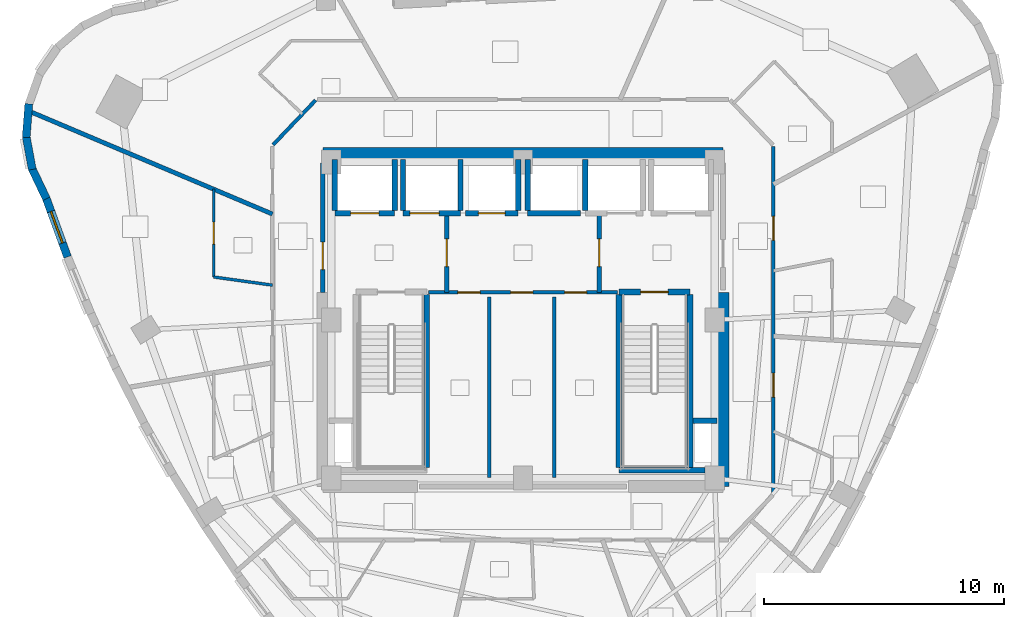
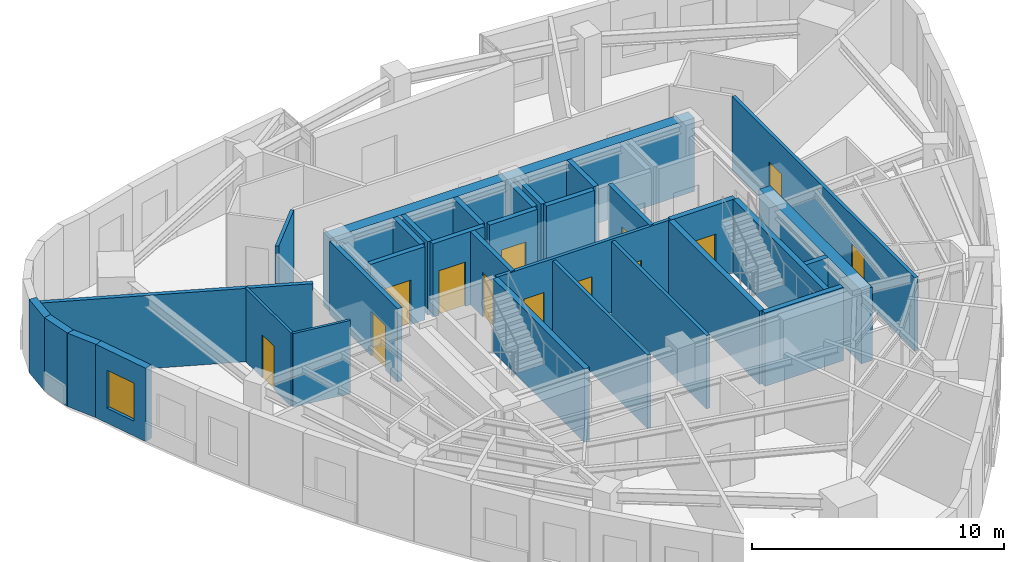
# One storey, part 6 of 11: 34 walls, 13 doors, 1 window, 14 openings.
"""IFC4 building model written with IfcOpenShell, lengths in metres."""

from ifc_helpers import new_model, si_unit, direction, frame, frame_2d, origin, place, context, subcontext, project, spatial, rectangle, extrude, material, layer, layer_set, type_object, element, fill, save


model = new_model("IFC4")

# Units and contexts
model_context = context("Model", 3, precision=1e-05, world=origin(), true_north=direction((0.0, 1.0)))
body_context = subcontext(model_context, "Body", "Model", "MODEL_VIEW")
ifc_project = project(units=[si_unit("LENGTHUNIT", "METRE"), si_unit("AREAUNIT", "SQUARE_METRE"), si_unit("VOLUMEUNIT", "CUBIC_METRE"), si_unit("PLANEANGLEUNIT", "RADIAN"), si_unit("MASSUNIT", "GRAM", prefix="KILO")], contexts=[model_context])

# Site, building, storey
site_placement = place(None, origin())
site = spatial("IfcSite", under=ifc_project, at=site_placement, CompositionType="ELEMENT")
building_placement = place(site_placement, origin())
building = spatial("IfcBuilding", under=site, at=building_placement, Name="Ndelora Gate Hotel", CompositionType="ELEMENT")
storey_placement = place(building_placement, frame((0.0, 0.0, 224.550048828125)))
storey = spatial("IfcBuildingStorey", under=building, at=storey_placement, Name="L56", CompositionType="ELEMENT", Elevation=224.550048828125)

# Walls
ifc_material_1 = material(Name="Acoustic Double-Stud Gypsum Assembly", Category="gypsum")
ifc_layer_1 = layer(ifc_material_1, 0.179931640625)
ifc_layer_set_1 = layer_set([ifc_layer_1], Name="Acoustic Double-Stud Gypsum Assembly")
wall_type_1 = type_object("IfcWallType", Name="WL-ACOUST-180", PredefinedType="PARTITIONING", material=ifc_layer_set_1)
wall_1_placement = place(storey_placement, frame((-10.449951171875, 4.419189453125, 0.0), z_axis=(0.0, 0.0, 1.0), x_axis=(-0.921035485522, 0.389478670032, 0.0)))
element("IfcWall", 1, at=wall_1_placement, inside=storey, type_object=wall_type_1, Name="L56 Interior Wall IW-3", PredefinedType="PARTITIONING", context=body_context, shape_type="SweptSolid", body=[
    extrude(rectangle(XDim=11.059326171875, YDim=0.179931640625, at=frame_2d((5.52978515625, 0.0))), origin(), (0.0, 0.0, 1.0), 3.550048828125),
])
ifc_material_2 = material(Name="Clay Brick Masonry", Category="masonry")
ifc_layer_2 = layer(ifc_material_2, 0.330078125)
ifc_layer_set_2 = layer_set([ifc_layer_2], Name="Clay Brick Masonry")
wall_type_2 = type_object("IfcWallType", Name="WL-BRICK-330", PredefinedType="SOLIDWALL", material=ifc_layer_set_2)
wall_2_placement = place(storey_placement, frame((-20.7236328125, 7.615234375, 0.0), z_axis=(0.0, 0.0, 1.0), x_axis=(0.07857999626, 0.996907811278, 0.0)))
element("IfcWall", 2, at=wall_2_placement, inside=storey, type_object=wall_type_2, Name="L56 Tower Brick Pier-and-Spandrel Wall TWR-6", PredefinedType="SOLIDWALL", context=body_context, shape_type="SweptSolid", body=[
    extrude(rectangle(XDim=1.407470703125, YDim=0.330078125, at=frame_2d((0.70361328125, 0.0))), origin(), (0.0, 0.0, 1.0), 3.550048828125),
])
wall_3_placement = place(storey_placement, frame((-20.469482421875, 6.28076171875, 0.0), z_axis=(0.0, 0.0, 1.0), x_axis=(-0.182455673353, 0.983214080077, 0.0)))
element("IfcWall", 3, at=wall_3_placement, inside=storey, type_object=wall_type_2, Name="L56 Tower Brick Pier-and-Spandrel Wall TWR-7", PredefinedType="SOLIDWALL", context=body_context, shape_type="SweptSolid", body=[
    extrude(rectangle(XDim=1.40771484375, YDim=0.330078125, at=frame_2d((0.703857421875, 0.0))), origin(), (0.0, 0.0, 1.0), 3.550048828125),
])
wall_4_placement = place(storey_placement, frame((-19.87890625, 5.0576171875, 0.0), z_axis=(0.0, 0.0, 1.0), x_axis=(-0.430694266873, 0.902497893894, 0.0)))
element("IfcWall", 4, at=wall_4_placement, inside=storey, type_object=wall_type_2, Name="L56 Tower Brick Pier-and-Spandrel Wall TWR-8", PredefinedType="SOLIDWALL", context=body_context, shape_type="SweptSolid", body=[
    extrude(rectangle(XDim=1.407470703125, YDim=0.330078125, at=frame_2d((0.70361328125, 0.0))), origin(), (0.0, 0.0, 1.0), 3.550048828125),
])

# Wall, opening, window
wall_5_placement = place(storey_placement, frame((-18.998046875, 2.630615234375, 0.0), z_axis=(0.0, 0.0, 1.0), x_axis=(-0.342100538488, 0.939663355445, 0.0)))
wall_5 = element("IfcWall", 5, at=wall_5_placement, inside=storey, type_object=wall_type_2, Name="L56 Tower Brick Pier-and-Spandrel Wall TWR-9", PredefinedType="SOLIDWALL", context=body_context, shape_type="SweptSolid", body=[
    extrude(rectangle(XDim=2.6318359375, YDim=0.330078125, at=frame_2d((1.31591796875, 0.0))), origin(), (0.0, 0.0, 1.0), 3.550048828125),
])
opening_1_placement = place(wall_5_placement, frame((0.615966796875, 0.0, 0.719970703125)))
opening_1 = element("IfcOpeningElement", 6, at=opening_1_placement, cuts=wall_5, Name="Opening W02", PredefinedType="OPENING", context=body_context, shape_type="SweptSolid", body=[
    extrude(rectangle(XDim=1.39990234375, YDim=1.840087890625, at=frame_2d((0.699951171875, 0.919921875))), frame((0.0, 0.175048828125, 0.0), z_axis=(0.0, -1.0, 0.0), x_axis=(1.0, 0.0, 0.0)), (0.0, 0.0, 1.0), 0.35009765625),
])
ifc_material_3 = material(Name="Insulated Low-E Double Glazing in Bronze Aluminium Frame", Category="aluminium")
window_type = type_object("IfcWindowType", Name="WN-DEEP-1400", PartitioningType="SINGLE_PANEL", PredefinedType="WINDOW", material=ifc_material_3)
window_placement = place(opening_1_placement, origin())
window = element("IfcWindow", 7, at=window_placement, inside=storey, type_object=window_type, Name="L56 Deep-Set Brick-Pier Window W02", OverallHeight=1.840087890625, OverallWidth=1.39990234375, PartitioningType="SINGLE_PANEL", PredefinedType="WINDOW", context=body_context, shape_type="SweptSolid", body=[
    extrude(rectangle(XDim=1.39990234375, YDim=1.840087890625, at=frame_2d((0.699951171875, 0.919921875))), frame((0.0, 0.030029296875, 0.0), z_axis=(0.0, -1.0, 0.0), x_axis=(1.0, 0.0, 0.0)), (0.0, 0.0, 1.0), 0.06005859375),
])
fill(opening_1, window)

# Walls
ifc_material_4 = material(Name="Concrete C50/60", Category="concrete")
ifc_layer_3 = layer(ifc_material_4, 0.5)
ifc_layer_set_3 = layer_set([ifc_layer_3], Name="Concrete C50/60")
wall_type_3 = type_object("IfcWallType", Name="WL-CORE-500", PredefinedType="SHEAR", material=ifc_layer_set_3)
wall_6_placement = place(storey_placement, frame((-8.35009765625, 6.949951171875, 0.0), z_axis=(0.0, 0.0, 1.0), x_axis=(1.0, 0.0, 0.0)))
element("IfcWall", 8, at=wall_6_placement, inside=storey, type_object=wall_type_3, Name="L56 Core Shear Wall N", PredefinedType="SHEAR", context=body_context, shape_type="SweptSolid", body=[
    extrude(rectangle(XDim=16.7001953125, YDim=0.5, at=frame_2d((8.35009765625, 0.0))), origin(), (0.0, 0.0, 1.0), 3.550048828125),
])
wall_7_placement = place(storey_placement, frame((8.35009765625, -6.949951171875, 0.0), z_axis=(0.0, 0.0, 1.0), x_axis=(0.0, 1.0, 0.0)))
element("IfcWall", 9, at=wall_7_placement, inside=storey, type_object=wall_type_3, Name="L56 Core Shear Wall E", PredefinedType="SHEAR", context=body_context, shape_type="SweptSolid", body=[
    extrude(rectangle(XDim=8.099853515625, YDim=0.5, at=frame_2d((4.0498046875, 0.0))), origin(), (0.0, 0.0, 1.0), 3.550048828125),
])

# Wall, opening, door
ifc_material_5 = material(Name="Concrete C40/50", Category="concrete")
ifc_layer_4 = layer(ifc_material_5, 0.199951171875)
ifc_layer_set_4 = layer_set([ifc_layer_4], Name="Concrete C40/50")
wall_type_4 = type_object("IfcWallType", Name="WL-FIRE-200", PredefinedType="PARTITIONING", material=ifc_layer_set_4)
wall_8_placement = place(storey_placement, frame((-3.179931640625, 1.14990234375, 0.0), z_axis=(0.0, 0.0, 1.0), x_axis=(0.0, 1.0, 0.0)))
wall_8 = element("IfcWall", 10, at=wall_8_placement, inside=storey, type_object=wall_type_4, Name="L56 Interior Wall IW-2", PredefinedType="PARTITIONING", context=body_context, shape_type="SweptSolid", body=[
    extrude(rectangle(XDim=3.300048828125, YDim=0.199951171875, at=frame_2d((1.64990234375, 0.0))), origin(), (0.0, 0.0, 1.0), 3.550048828125),
])
opening_2_placement = place(wall_8_placement, frame((1.080078125, 0.0, 0.0)))
opening_2 = element("IfcOpeningElement", 11, at=opening_2_placement, cuts=wall_8, Name="Opening FD1", PredefinedType="OPENING", context=body_context, shape_type="SweptSolid", body=[
    extrude(rectangle(XDim=1.14990234375, YDim=2.14990234375, at=frame_2d((0.574951171875, 1.074951171875))), frame((0.0, 0.10986328125, 0.0), z_axis=(0.0, -1.0, 0.0), x_axis=(1.0, 0.0, 0.0)), (0.0, 0.0, 1.0), 0.219970703125),
])
ifc_material_6 = material(Name="Fire-Rated Timber-Veneer Steel Core", Category="steel")
door_type_1 = type_object("IfcDoorType", Name="DR-FD60", OperationType="SINGLE_SWING_LEFT", PredefinedType="DOOR", material=ifc_material_6)
door_1_placement = place(opening_2_placement, origin())
door_1 = element("IfcDoor", 12, at=door_1_placement, inside=storey, type_object=door_type_1, Name="L56 Firefighting Lobby West Door", OperationType="SINGLE_SWING_RIGHT", OverallHeight=2.14990234375, OverallWidth=1.14990234375, PredefinedType="DOOR", context=body_context, shape_type="SweptSolid", body=[
    extrude(rectangle(XDim=1.14990234375, YDim=2.14990234375, at=frame_2d((0.574951171875, 1.074951171875))), frame((0.0, 0.02490234375, 0.0), z_axis=(0.0, -1.0, 0.0), x_axis=(1.0, 0.0, 0.0)), (0.0, 0.0, 1.0), 0.050048828125),
])
fill(opening_2, door_1)

wall_9_placement = place(storey_placement, frame((3.179931640625, 1.14990234375, 0.0), z_axis=(0.0, 0.0, 1.0), x_axis=(0.0, 1.0, 0.0)))
wall_9 = element("IfcWall", 13, at=wall_9_placement, inside=storey, type_object=wall_type_4, Name="L56 Interior Wall IW-2", PredefinedType="PARTITIONING", context=body_context, shape_type="SweptSolid", body=[
    extrude(rectangle(XDim=3.300048828125, YDim=0.199951171875, at=frame_2d((1.64990234375, 0.0))), origin(), (0.0, 0.0, 1.0), 3.550048828125),
])
opening_3_placement = place(wall_9_placement, frame((1.080078125, 0.0, 0.0)))
opening_3 = element("IfcOpeningElement", 14, at=opening_3_placement, cuts=wall_9, Name="Opening FD1", PredefinedType="OPENING", context=body_context, shape_type="SweptSolid", body=[
    extrude(rectangle(XDim=1.14990234375, YDim=2.14990234375, at=frame_2d((0.574951171875, 1.074951171875))), frame((0.0, 0.10986328125, 0.0), z_axis=(0.0, -1.0, 0.0), x_axis=(1.0, 0.0, 0.0)), (0.0, 0.0, 1.0), 0.219970703125),
])
door_2_placement = place(opening_3_placement, origin())
door_2 = element("IfcDoor", 15, at=door_2_placement, inside=storey, type_object=door_type_1, Name="L56 Firefighting Lobby East Door", OperationType="SINGLE_SWING_LEFT", OverallHeight=2.14990234375, OverallWidth=1.14990234375, PredefinedType="DOOR", context=body_context, shape_type="SweptSolid", body=[
    extrude(rectangle(XDim=1.14990234375, YDim=2.14990234375, at=frame_2d((0.574951171875, 1.074951171875))), frame((0.0, 0.02490234375, 0.0), z_axis=(0.0, -1.0, 0.0), x_axis=(1.0, 0.0, 0.0)), (0.0, 0.0, 1.0), 0.050048828125),
])
fill(opening_3, door_2)

wall_10_placement = place(storey_placement, frame((-8.35009765625, 1.14990234375, 0.0), z_axis=(0.0, 0.0, 1.0), x_axis=(0.0, 1.0, 0.0)))
wall_10 = element("IfcWall", 16, at=wall_10_placement, inside=storey, type_object=wall_type_4, Name="L56 Interior Wall IW-2", PredefinedType="PARTITIONING", context=body_context, shape_type="SweptSolid", body=[
    extrude(rectangle(XDim=5.400146484375, YDim=0.199951171875, at=frame_2d((2.7001953125, 0.0))), origin(), (0.0, 0.0, 1.0), 3.550048828125),
])
opening_4_placement = place(wall_10_placement, frame((0.949951171875, 0.0, 0.0)))
opening_4 = element("IfcOpeningElement", 17, at=opening_4_placement, cuts=wall_10, Name="Opening FD1", PredefinedType="OPENING", context=body_context, shape_type="SweptSolid", body=[
    extrude(rectangle(XDim=1.14990234375, YDim=2.14990234375, at=frame_2d((0.574951171875, 1.074951171875))), frame((0.0, 0.10986328125, 0.0), z_axis=(0.0, -1.0, 0.0), x_axis=(1.0, 0.0, 0.0)), (0.0, 0.0, 1.0), 0.219970703125),
])
door_3_placement = place(opening_4_placement, origin())
door_3 = element("IfcDoor", 18, at=door_3_placement, inside=storey, type_object=door_type_1, Name="L56 Firefighting Lobby West Corridor Door", OperationType="SINGLE_SWING_LEFT", OverallHeight=2.14990234375, OverallWidth=1.14990234375, PredefinedType="DOOR", context=body_context, shape_type="SweptSolid", body=[
    extrude(rectangle(XDim=1.14990234375, YDim=2.14990234375, at=frame_2d((0.574951171875, 1.074951171875))), frame((0.0, 0.02490234375, 0.0), z_axis=(0.0, -1.0, 0.0), x_axis=(1.0, 0.0, 0.0)), (0.0, 0.0, 1.0), 0.050048828125),
])
fill(opening_4, door_3)

# Wall, openings, doors
ifc_material_7 = material(Name="Fire-Rated Gypsum Stud Partition", Category="gypsum")
ifc_layer_5 = layer(ifc_material_7, 0.14990234375)
ifc_layer_set_5 = layer_set([ifc_layer_5], Name="Fire-Rated Gypsum Stud Partition")
wall_type_5 = type_object("IfcWallType", Name="WL-PART-150", PredefinedType="PARTITIONING", material=ifc_layer_set_5)
wall_11_placement = place(storey_placement, frame((3.949951171875, 1.14990234375, 0.0), z_axis=(0.0, 0.0, 1.0), x_axis=(-1.0, 0.0, 0.0)))
wall_11 = element("IfcWall", 19, at=wall_11_placement, inside=storey, type_object=wall_type_5, Name="L56 Interior Wall IW-5", PredefinedType="PARTITIONING", context=body_context, shape_type="SweptSolid", body=[
    extrude(rectangle(XDim=7.89990234375, YDim=0.14990234375, at=frame_2d((3.949951171875, 0.0))), origin(), (0.0, 0.0, 1.0), 3.550048828125),
])
opening_5_placement = place(wall_11_placement, frame((5.739990234375, 0.0, 0.0)))
opening_5 = element("IfcOpeningElement", 20, at=opening_5_placement, cuts=wall_11, Name="Opening D04", PredefinedType="OPENING", context=body_context, shape_type="SweptSolid", body=[
    extrude(rectangle(XDim=0.919921875, YDim=2.050048828125, at=frame_2d((0.4599609375, 1.02490234375))), frame((0.0, 0.0849609375, 0.0), z_axis=(0.0, -1.0, 0.0), x_axis=(1.0, 0.0, 0.0)), (0.0, 0.0, 1.0), 0.169921875),
])
opening_6_placement = place(wall_11_placement, frame((3.5400390625, 0.0, 0.0)))
opening_6 = element("IfcOpeningElement", 21, at=opening_6_placement, cuts=wall_11, Name="Opening D04", PredefinedType="OPENING", context=body_context, shape_type="SweptSolid", body=[
    extrude(rectangle(XDim=0.919921875, YDim=2.050048828125, at=frame_2d((0.4599609375, 1.02490234375))), frame((0.0, 0.0849609375, 0.0), z_axis=(0.0, -1.0, 0.0), x_axis=(1.0, 0.0, 0.0)), (0.0, 0.0, 1.0), 0.169921875),
])
opening_7_placement = place(wall_11_placement, frame((1.2900390625, 0.0, 0.0)))
opening_7 = element("IfcOpeningElement", 22, at=opening_7_placement, cuts=wall_11, Name="Opening D04", PredefinedType="OPENING", context=body_context, shape_type="SweptSolid", body=[
    extrude(rectangle(XDim=0.919921875, YDim=2.050048828125, at=frame_2d((0.4599609375, 1.02490234375))), frame((0.0, 0.0849609375, 0.0), z_axis=(0.0, -1.0, 0.0), x_axis=(1.0, 0.0, 0.0)), (0.0, 0.0, 1.0), 0.169921875),
])
ifc_material_8 = material(Name="Painted Steel Core Service Door", Category="steel")
door_type_2 = type_object("IfcDoorType", Name="DR-SER-920", OperationType="SINGLE_SWING_LEFT", PredefinedType="DOOR", material=ifc_material_8)
door_4_placement = place(opening_5_placement, origin())
door_4 = element("IfcDoor", 23, at=door_4_placement, inside=storey, type_object=door_type_2, Name="L56 Core Cleaners Store Door", OperationType="SINGLE_SWING_LEFT", OverallHeight=2.050048828125, OverallWidth=0.919921875, PredefinedType="DOOR", context=body_context, shape_type="SweptSolid", body=[
    extrude(rectangle(XDim=0.919921875, YDim=2.050048828125, at=frame_2d((0.4599609375, 1.02490234375))), frame((0.0, 0.02490234375, 0.0), z_axis=(0.0, -1.0, 0.0), x_axis=(1.0, 0.0, 0.0)), (0.0, 0.0, 1.0), 0.050048828125),
])
fill(opening_5, door_4)
door_5_placement = place(opening_6_placement, origin())
door_5 = element("IfcDoor", 24, at=door_5_placement, inside=storey, type_object=door_type_2, Name="L56 Core Telecoms Equipment Room Door", OperationType="SINGLE_SWING_RIGHT", OverallHeight=2.050048828125, OverallWidth=0.919921875, PredefinedType="DOOR", context=body_context, shape_type="SweptSolid", body=[
    extrude(rectangle(XDim=0.919921875, YDim=2.050048828125, at=frame_2d((0.4599609375, 1.02490234375))), frame((0.0, 0.02490234375, 0.0), z_axis=(0.0, -1.0, 0.0), x_axis=(1.0, 0.0, 0.0)), (0.0, 0.0, 1.0), 0.050048828125),
])
fill(opening_6, door_5)
door_6_placement = place(opening_7_placement, origin())
door_6 = element("IfcDoor", 25, at=door_6_placement, inside=storey, type_object=door_type_2, Name="L56 Core Electrical Metering Room Door", OperationType="SINGLE_SWING_LEFT", OverallHeight=2.050048828125, OverallWidth=0.919921875, PredefinedType="DOOR", context=body_context, shape_type="SweptSolid", body=[
    extrude(rectangle(XDim=0.919921875, YDim=2.050048828125, at=frame_2d((0.4599609375, 1.02490234375))), frame((0.0, 0.02490234375, 0.0), z_axis=(0.0, -1.0, 0.0), x_axis=(1.0, 0.0, 0.0)), (0.0, 0.0, 1.0), 0.050048828125),
])
fill(opening_7, door_6)

# Walls
for number, where, z_axis, x_axis, name in (
    (26, (-1.39990234375, -6.580078125, 0.0), (0.0, 0.0, 1.0), (0.0, 1.0, 0.0), "L56 Interior Wall IW-5"),
    (27, (1.300048828125, -6.580078125, 0.0), (0.0, 0.0, 1.0), (0.0, 1.0, 0.0), "L56 Interior Wall IW-5"),
):
    element("IfcWall", number, at=place(storey_placement, frame(where, z_axis=z_axis, x_axis=x_axis)), inside=storey, type_object=wall_type_5, Name=name, PredefinedType="PARTITIONING", context=body_context, shape_type="SweptSolid", body=[
        extrude(rectangle(XDim=7.530029296875, YDim=0.14990234375, at=frame_2d((3.76513671875, 0.0))), origin(), (0.0, 0.0, 1.0), 3.550048828125),
    ])

# Wall, openings, doors
wall_12_placement = place(storey_placement, frame((10.449951171875, 7.239990234375, 0.0), z_axis=(0.0, 0.0, 1.0), x_axis=(0.0, -1.0, 0.0)))
wall_12 = element("IfcWall", 28, at=wall_12_placement, inside=storey, type_object=wall_type_5, Name="L56 Interior Wall IW-5", PredefinedType="PARTITIONING", context=body_context, shape_type="SweptSolid", body=[
    extrude(rectangle(XDim=14.47998046875, YDim=0.14990234375, at=frame_2d((7.239990234375, 0.0))), origin(), (0.0, 0.0, 1.0), 3.550048828125),
])
opening_8_placement = place(wall_12_placement, frame((9.45947265625, 0.0, 0.0)))
opening_8 = element("IfcOpeningElement", 29, at=opening_8_placement, cuts=wall_12, Name="Opening D01", PredefinedType="OPENING", context=body_context, shape_type="SweptSolid", body=[
    extrude(rectangle(XDim=1.0, YDim=2.14990234375, at=frame_2d((0.5, 1.074951171875))), frame((0.0, 0.0849609375, 0.0), z_axis=(0.0, -1.0, 0.0), x_axis=(1.0, 0.0, 0.0)), (0.0, 0.0, 1.0), 0.169921875),
])
opening_9_placement = place(wall_12_placement, frame((2.921142578125, 0.0, 0.0)))
opening_9 = element("IfcOpeningElement", 30, at=opening_9_placement, cuts=wall_12, Name="Opening D01", PredefinedType="OPENING", context=body_context, shape_type="SweptSolid", body=[
    extrude(rectangle(XDim=1.0, YDim=2.14990234375, at=frame_2d((0.5, 1.074951171875))), frame((0.0, 0.0849609375, 0.0), z_axis=(0.0, -1.0, 0.0), x_axis=(1.0, 0.0, 0.0)), (0.0, 0.0, 1.0), 0.169921875),
])
ifc_material_9 = material(Name="Acoustic Hardwood Guest Entrance Door", Category="wood")
door_type_3 = type_object("IfcDoorType", Name="DR-COR-1000", OperationType="SINGLE_SWING_LEFT", PredefinedType="DOOR", material=ifc_material_9)
door_7_placement = place(opening_8_placement, origin())
door_7 = element("IfcDoor", 31, at=door_7_placement, inside=storey, type_object=door_type_3, Name="L56 Altitude King Guest Room 5901 Entrance Door", OperationType="SINGLE_SWING_LEFT", OverallHeight=2.14990234375, OverallWidth=1.0, PredefinedType="DOOR", context=body_context, shape_type="SweptSolid", body=[
    extrude(rectangle(XDim=1.0, YDim=2.14990234375, at=frame_2d((0.5, 1.074951171875))), frame((0.0, 0.02490234375, 0.0), z_axis=(0.0, -1.0, 0.0), x_axis=(1.0, 0.0, 0.0)), (0.0, 0.0, 1.0), 0.050048828125),
])
fill(opening_8, door_7)
door_8_placement = place(opening_9_placement, origin())
door_8 = element("IfcDoor", 32, at=door_8_placement, inside=storey, type_object=door_type_3, Name="L56 Altitude Twin Guest Room 5902 Entrance Door", OperationType="SINGLE_SWING_RIGHT", OverallHeight=2.14990234375, OverallWidth=1.0, PredefinedType="DOOR", context=body_context, shape_type="SweptSolid", body=[
    extrude(rectangle(XDim=1.0, YDim=2.14990234375, at=frame_2d((0.5, 1.074951171875))), frame((0.0, 0.02490234375, 0.0), z_axis=(0.0, -1.0, 0.0), x_axis=(1.0, 0.0, 0.0)), (0.0, 0.0, 1.0), 0.050048828125),
])
fill(opening_9, door_8)

# Walls
wall_13_placement = place(storey_placement, frame((-10.42236328125, 7.30908203125, 0.0), z_axis=(0.0, 0.0, 1.0), x_axis=(0.689960858356, 0.723846678473, 0.0)))
element("IfcWall", 33, at=wall_13_placement, inside=storey, type_object=wall_type_5, Name="L56 Interior Wall IW-5", PredefinedType="PARTITIONING", context=body_context, shape_type="SweptSolid", body=[
    extrude(rectangle(XDim=2.572021484375, YDim=0.14990234375, at=frame_2d((1.2861328125, 0.0))), origin(), (0.0, 0.0, 1.0), 3.550048828125),
])
ifc_layer_6 = layer(ifc_material_5, 0.219970703125)
ifc_layer_set_6 = layer_set([ifc_layer_6], Name="Concrete C40/50")
wall_type_6 = type_object("IfcWallType", Name="WL-SHAFT-220", PredefinedType="PARTITIONING", material=ifc_layer_set_6)
wall_14_placement = place(storey_placement, frame((7.090087890625, -4.199951171875, 0.0), z_axis=(0.0, 0.0, 1.0), x_axis=(1.0, 0.0, 0.0)))
element("IfcWall", 34, at=wall_14_placement, inside=storey, type_object=wall_type_6, Name="L56 Interior Wall IW-1", PredefinedType="PARTITIONING", context=body_context, shape_type="SweptSolid", body=[
    extrude(rectangle(XDim=1.010009765625, YDim=0.219970703125, at=frame_2d((0.5048828125, 0.0))), origin(), (0.0, 0.0, 1.0), 3.550048828125),
])

# Wall, opening, door
wall_15_placement = place(storey_placement, frame((-7.85009765625, 4.449951171875, 0.0), z_axis=(0.0, 0.0, 1.0), x_axis=(1.0, 0.0, 0.0)))
wall_15 = element("IfcWall", 35, at=wall_15_placement, inside=storey, type_object=wall_type_6, Name="L56 Interior Wall IW-1", PredefinedType="PARTITIONING", context=body_context, shape_type="SweptSolid", body=[
    extrude(rectangle(XDim=2.5, YDim=0.219970703125, at=frame_2d((1.25, 0.0))), origin(), (0.0, 0.0, 1.0), 3.550048828125),
])
opening_10_placement = place(wall_15_placement, frame((0.659912109375, 0.0, 0.0)))
opening_10 = element("IfcOpeningElement", 36, at=opening_10_placement, cuts=wall_15, Name="Opening LD5", PredefinedType="OPENING", context=body_context, shape_type="SweptSolid", body=[
    extrude(rectangle(XDim=1.179931640625, YDim=2.14990234375, at=frame_2d((0.58984375, 1.074951171875))), frame((0.0, 0.1201171875, 0.0), z_axis=(0.0, -1.0, 0.0), x_axis=(1.0, 0.0, 0.0)), (0.0, 0.0, 1.0), 0.239990234375),
])
ifc_material_10 = material(Name="Firefighting Lift Stainless Sliding Landing Door", Category="metal")
door_type_4 = type_object("IfcDoorType", Name="DR-LD5", OperationType="DOUBLE_DOOR_SLIDING", PredefinedType="DOOR", material=ifc_material_10)
door_9_placement = place(opening_10_placement, origin())
door_9 = element("IfcDoor", 37, at=door_9_placement, inside=storey, type_object=door_type_4, Name="L56 Lift Landing Sliding Door FFL1", OperationType="DOUBLE_DOOR_SLIDING", OverallHeight=2.14990234375, OverallWidth=1.179931640625, PredefinedType="DOOR", context=body_context, shape_type="SweptSolid", body=[
    extrude(rectangle(XDim=1.179931640625, YDim=2.14990234375, at=frame_2d((0.58984375, 1.074951171875))), frame((0.0, 0.02490234375, 0.0), z_axis=(0.0, -1.0, 0.0), x_axis=(1.0, 0.0, 0.0)), (0.0, 0.0, 1.0), 0.050048828125),
])
fill(opening_10, door_9)

# Walls
wall_16_placement = place(storey_placement, frame((-7.85009765625, 4.570068359375, 0.0), z_axis=(0.0, 0.0, 1.0), x_axis=(0.0, 1.0, 0.0)))
element("IfcWall", 38, at=wall_16_placement, inside=storey, type_object=wall_type_6, Name="L56 Interior Wall IW-1", PredefinedType="PARTITIONING", context=body_context, shape_type="SweptSolid", body=[
    extrude(rectangle(XDim=2.1298828125, YDim=0.219970703125, at=frame_2d((1.06494140625, 0.0))), origin(), (0.0, 0.0, 1.0), 3.179931640625),
])
wall_17_placement = place(storey_placement, frame((-5.35009765625, 4.570068359375, 0.0), z_axis=(0.0, 0.0, 1.0), x_axis=(0.0, 1.0, 0.0)))
element("IfcWall", 39, at=wall_17_placement, inside=storey, type_object=wall_type_6, Name="L56 Interior Wall IW-1", PredefinedType="PARTITIONING", context=body_context, shape_type="SweptSolid", body=[
    extrude(rectangle(XDim=2.1298828125, YDim=0.219970703125, at=frame_2d((1.06494140625, 0.0))), origin(), (0.0, 0.0, 1.0), 3.550048828125),
])

# Wall, opening, door
wall_18_placement = place(storey_placement, frame((-5.0, 4.449951171875, 0.0), z_axis=(0.0, 0.0, 1.0), x_axis=(1.0, 0.0, 0.0)))
wall_18 = element("IfcWall", 40, at=wall_18_placement, inside=storey, type_object=wall_type_6, Name="L56 Interior Wall IW-1", PredefinedType="PARTITIONING", context=body_context, shape_type="SweptSolid", body=[
    extrude(rectangle(XDim=2.39990234375, YDim=0.219970703125, at=frame_2d((1.199951171875, 0.0))), origin(), (0.0, 0.0, 1.0), 3.550048828125),
])
opening_11_placement = place(wall_18_placement, frame((0.280029296875, 0.0, 0.0)))
opening_11 = element("IfcOpeningElement", 41, at=opening_11_placement, cuts=wall_18, Name="Opening LD6", PredefinedType="OPENING", context=body_context, shape_type="SweptSolid", body=[
    extrude(rectangle(XDim=1.219970703125, YDim=2.14990234375, at=frame_2d((0.60986328125, 1.074951171875))), frame((0.0, 0.1201171875, 0.0), z_axis=(0.0, -1.0, 0.0), x_axis=(1.0, 0.0, 0.0)), (0.0, 0.0, 1.0), 0.239990234375),
])
ifc_material_11 = material(Name="Heavy-Duty Service Lift Sliding Landing Door", Category="wood")
door_type_5 = type_object("IfcDoorType", Name="DR-LD6", OperationType="DOUBLE_DOOR_SLIDING", PredefinedType="DOOR", material=ifc_material_11)
door_10_placement = place(opening_11_placement, origin())
door_10 = element("IfcDoor", 42, at=door_10_placement, inside=storey, type_object=door_type_5, Name="L56 Lift Landing Sliding Door SVL1", OperationType="DOUBLE_DOOR_SLIDING", OverallHeight=2.14990234375, OverallWidth=1.219970703125, PredefinedType="DOOR", context=body_context, shape_type="SweptSolid", body=[
    extrude(rectangle(XDim=1.219970703125, YDim=2.14990234375, at=frame_2d((0.60986328125, 1.074951171875))), frame((0.0, 0.02490234375, 0.0), z_axis=(0.0, -1.0, 0.0), x_axis=(1.0, 0.0, 0.0)), (0.0, 0.0, 1.0), 0.050048828125),
])
fill(opening_11, door_10)

# Walls
for number, where, z_axis, x_axis, name in (
    (43, (-5.0, 4.570068359375, 0.0), (0.0, 0.0, 1.0), (0.0, 1.0, 0.0), "L56 Interior Wall IW-1"),
    (44, (-2.60009765625, 4.570068359375, 0.0), (0.0, 0.0, 1.0), (0.0, 1.0, 0.0), "L56 Interior Wall IW-1"),
    (45, (2.60009765625, 4.570068359375, 0.0), (0.0, 0.0, 1.0), (0.0, 1.0, 0.0), "L56 Interior Wall IW-1"),
):
    element("IfcWall", number, at=place(storey_placement, frame(where, z_axis=z_axis, x_axis=x_axis)), inside=storey, type_object=wall_type_6, Name=name, PredefinedType="PARTITIONING", context=body_context, shape_type="SweptSolid", body=[
        extrude(rectangle(XDim=2.1298828125, YDim=0.219970703125, at=frame_2d((1.06494140625, 0.0))), origin(), (0.0, 0.0, 1.0), 3.550048828125),
    ])

# Wall, opening, door
wall_19_placement = place(storey_placement, frame((-2.39990234375, 4.449951171875, 0.0), z_axis=(0.0, 0.0, 1.0), x_axis=(1.0, 0.0, 0.0)))
wall_19 = element("IfcWall", 46, at=wall_19_placement, inside=storey, type_object=wall_type_6, Name="L56 Interior Wall IW-1", PredefinedType="PARTITIONING", context=body_context, shape_type="SweptSolid", body=[
    extrude(rectangle(XDim=2.199951171875, YDim=0.219970703125, at=frame_2d((1.10009765625, 0.0))), origin(), (0.0, 0.0, 1.0), 3.550048828125),
])
opening_12_placement = place(wall_19_placement, frame((0.5400390625, 0.0, 0.0)))
opening_12 = element("IfcOpeningElement", 47, at=opening_12_placement, cuts=wall_19, Name="Opening LD3", PredefinedType="OPENING", context=body_context, shape_type="SweptSolid", body=[
    extrude(rectangle(XDim=1.1201171875, YDim=2.14990234375, at=frame_2d((0.56005859375, 1.074951171875))), frame((0.0, 0.1201171875, 0.0), z_axis=(0.0, -1.0, 0.0), x_axis=(1.0, 0.0, 0.0)), (0.0, 0.0, 1.0), 0.239990234375),
])
ifc_material_12 = material(Name="Brushed Bronze Stainless Lift Landing Door", Category="metal")
door_type_6 = type_object("IfcDoorType", Name="DR-LD3", OperationType="DOUBLE_DOOR_SLIDING", PredefinedType="DOOR", material=ifc_material_12)
door_11_placement = place(opening_12_placement, origin())
door_11 = element("IfcDoor", 48, at=door_11_placement, inside=storey, type_object=door_type_6, Name="L56 Lift Landing Sliding Door P3A", OperationType="DOUBLE_DOOR_SLIDING", OverallHeight=2.14990234375, OverallWidth=1.1201171875, PredefinedType="DOOR", context=body_context, shape_type="SweptSolid", body=[
    extrude(rectangle(XDim=1.1201171875, YDim=2.14990234375, at=frame_2d((0.56005859375, 1.074951171875))), frame((0.0, 0.02490234375, 0.0), z_axis=(0.0, -1.0, 0.0), x_axis=(1.0, 0.0, 0.0)), (0.0, 0.0, 1.0), 0.050048828125),
])
fill(opening_12, door_11)

# Walls
wall_20_placement = place(storey_placement, frame((-0.199951171875, 4.570068359375, 0.0), z_axis=(0.0, 0.0, 1.0), x_axis=(0.0, 1.0, 0.0)))
element("IfcWall", 49, at=wall_20_placement, inside=storey, type_object=wall_type_6, Name="L56 Interior Wall IW-1", PredefinedType="PARTITIONING", context=body_context, shape_type="SweptSolid", body=[
    extrude(rectangle(XDim=2.1298828125, YDim=0.219970703125, at=frame_2d((1.06494140625, 0.0))), origin(), (0.0, 0.0, 1.0), 3.550048828125),
])
wall_21_placement = place(storey_placement, frame((0.199951171875, 4.449951171875, 0.0), z_axis=(0.0, 0.0, 1.0), x_axis=(1.0, 0.0, 0.0)))
element("IfcWall", 50, at=wall_21_placement, inside=storey, type_object=wall_type_6, Name="L56 Interior Wall IW-1", PredefinedType="PARTITIONING", context=body_context, shape_type="SweptSolid", body=[
    extrude(rectangle(XDim=2.199951171875, YDim=0.219970703125, at=frame_2d((1.10009765625, 0.0))), origin(), (0.0, 0.0, 1.0), 3.550048828125),
])
wall_22_placement = place(storey_placement, frame((0.199951171875, 4.570068359375, 0.0), z_axis=(0.0, 0.0, 1.0), x_axis=(0.0, 1.0, 0.0)))
element("IfcWall", 51, at=wall_22_placement, inside=storey, type_object=wall_type_6, Name="L56 Interior Wall IW-1", PredefinedType="PARTITIONING", context=body_context, shape_type="SweptSolid", body=[
    extrude(rectangle(XDim=2.1298828125, YDim=0.219970703125, at=frame_2d((1.06494140625, 0.0))), origin(), (0.0, 0.0, 1.0), 3.550048828125),
])
ifc_layer_7 = layer(ifc_material_4, 0.239990234375)
ifc_layer_set_7 = layer_set([ifc_layer_7], Name="Concrete C50/60")
wall_type_7 = type_object("IfcWallType", Name="WL-STAIR-240", PredefinedType="SHEAR", material=ifc_layer_set_7)
for number, where, z_axis, x_axis, name in (
    (52, (-4.010009765625, -6.159912109375, 0.0), (0.0, 0.0, 1.0), (0.0, 1.0, 0.0), "L56 Stair Core Shear Wall SW-ST"),
    (53, (4.010009765625, -6.159912109375, 0.0), (0.0, 0.0, 1.0), (0.0, 1.0, 0.0), "L56 Stair Core Shear Wall SW-ST"),
    (54, (6.969970703125, -6.159912109375, 0.0), (0.0, 0.0, 1.0), (0.0, 1.0, 0.0), "L56 Stair Core Shear Wall SW-ST"),
):
    element("IfcWall", number, at=place(storey_placement, frame(where, z_axis=z_axis, x_axis=x_axis)), inside=storey, type_object=wall_type_7, Name=name, PredefinedType="SHEAR", context=body_context, shape_type="SweptSolid", body=[
        extrude(rectangle(XDim=7.219970703125, YDim=0.239990234375, at=frame_2d((3.60986328125, 0.0))), origin(), (0.0, 0.0, 1.0), 3.550048828125),
    ])
wall_23_placement = place(storey_placement, frame((4.010009765625, -6.27001953125, 0.0), z_axis=(0.0, 0.0, 1.0), x_axis=(1.0, 0.0, 0.0)))
element("IfcWall", 55, at=wall_23_placement, inside=storey, type_object=wall_type_7, Name="L56 Stair Core Shear Wall SW-ST", PredefinedType="SHEAR", context=body_context, shape_type="SweptSolid", body=[
    extrude(rectangle(XDim=3.590087890625, YDim=0.239990234375, at=frame_2d((1.794921875, 0.0))), origin(), (0.0, 0.0, 1.0), 3.550048828125),
])

# Wall, opening, door
wall_24_placement = place(storey_placement, frame((4.010009765625, 1.169921875, 0.0), z_axis=(0.0, 0.0, 1.0), x_axis=(1.0, 0.0, 0.0)))
wall_24 = element("IfcWall", 56, at=wall_24_placement, inside=storey, type_object=wall_type_7, Name="L56 Stair Core Shear Wall SW-ST", PredefinedType="SHEAR", context=body_context, shape_type="SweptSolid", body=[
    extrude(rectangle(XDim=2.9599609375, YDim=0.239990234375, at=frame_2d((1.47998046875, 0.0))), origin(), (0.0, 0.0, 1.0), 3.550048828125),
])
opening_13_placement = place(wall_24_placement, frame((0.89990234375, 0.0, 0.0)))
opening_13 = element("IfcOpeningElement", 57, at=opening_13_placement, cuts=wall_24, Name="Opening FD1", PredefinedType="OPENING", context=body_context, shape_type="SweptSolid", body=[
    extrude(rectangle(XDim=1.14990234375, YDim=2.14990234375, at=frame_2d((0.574951171875, 1.074951171875))), frame((0.0, 0.1298828125, 0.0), z_axis=(0.0, -1.0, 0.0), x_axis=(1.0, 0.0, 0.0)), (0.0, 0.0, 1.0), 0.260009765625),
])
door_12_placement = place(opening_13_placement, origin())
door_12 = element("IfcDoor", 58, at=door_12_placement, inside=storey, type_object=door_type_1, Name="L56 Exit Stair ST5 Door", OperationType="SINGLE_SWING_RIGHT", OverallHeight=2.14990234375, OverallWidth=1.14990234375, PredefinedType="DOOR", context=body_context, shape_type="SweptSolid", body=[
    extrude(rectangle(XDim=1.14990234375, YDim=2.14990234375, at=frame_2d((0.574951171875, 1.074951171875))), frame((0.0, 0.02490234375, 0.0), z_axis=(0.0, -1.0, 0.0), x_axis=(1.0, 0.0, 0.0)), (0.0, 0.0, 1.0), 0.050048828125),
])
fill(opening_13, door_12)

# Wall
ifc_material_13 = material(Name="Moisture-Resistant Bathroom Tile Partition", Category="gypsum")
ifc_layer_8 = layer(ifc_material_13, 0.1201171875)
ifc_layer_set_8 = layer_set([ifc_layer_8], Name="Moisture-Resistant Bathroom Tile Partition")
wall_type_8 = type_object("IfcWallType", Name="WL-WET-120", PredefinedType="PARTITIONING", material=ifc_layer_set_8)
wall_25_placement = place(storey_placement, frame((-12.89990234375, 1.793701171875, 0.0), z_axis=(0.0, 0.0, 1.0), x_axis=(0.990475454298, -0.137689412929, 0.0)))
element("IfcWall", 59, at=wall_25_placement, inside=storey, type_object=wall_type_8, Name="L56 Interior Wall IW-7", PredefinedType="PARTITIONING", context=body_context, shape_type="SweptSolid", body=[
    extrude(rectangle(XDim=2.473388671875, YDim=0.1201171875, at=frame_2d((1.23681640625, 0.0))), origin(), (0.0, 0.0, 1.0), 3.550048828125),
])

# Wall, opening, door
wall_26_placement = place(storey_placement, frame((-12.89990234375, 1.793701171875, 0.0), z_axis=(0.0, 0.0, 1.0), x_axis=(0.0, 1.0, 0.0)))
wall_26 = element("IfcWall", 60, at=wall_26_placement, inside=storey, type_object=wall_type_8, Name="L56 Interior Wall IW-7", PredefinedType="PARTITIONING", context=body_context, shape_type="SweptSolid", body=[
    extrude(rectangle(XDim=3.661376953125, YDim=0.1201171875, at=frame_2d((1.83056640625, 0.0))), origin(), (0.0, 0.0, 1.0), 3.550048828125),
])
opening_14_placement = place(wall_26_placement, frame((1.37060546875, 0.0, 0.0)))
opening_14 = element("IfcOpeningElement", 61, at=opening_14_placement, cuts=wall_26, Name="Opening D03", PredefinedType="OPENING", context=body_context, shape_type="SweptSolid", body=[
    extrude(rectangle(XDim=0.919921875, YDim=2.10009765625, at=frame_2d((0.4599609375, 1.050048828125))), frame((0.0, 0.070068359375, 0.0), z_axis=(0.0, -1.0, 0.0), x_axis=(1.0, 0.0, 0.0)), (0.0, 0.0, 1.0), 0.14013671875),
])
ifc_material_14 = material(Name="Moisture-Resistant Hardwood En-Suite Door", Category="wood")
door_type_7 = type_object("IfcDoorType", Name="DR-BATH-920", OperationType="SINGLE_SWING_LEFT", PredefinedType="DOOR", material=ifc_material_14)
door_13_placement = place(opening_14_placement, origin())
door_13 = element("IfcDoor", 62, at=door_13_placement, inside=storey, type_object=door_type_7, Name="L56 En-suite Bathroom 5905 Door", OperationType="SINGLE_SWING_RIGHT", OverallHeight=2.10009765625, OverallWidth=0.919921875, PredefinedType="DOOR", context=body_context, shape_type="SweptSolid", body=[
    extrude(rectangle(XDim=0.919921875, YDim=2.10009765625, at=frame_2d((0.4599609375, 1.050048828125))), frame((0.0, 0.02490234375, 0.0), z_axis=(0.0, -1.0, 0.0), x_axis=(1.0, 0.0, 0.0)), (0.0, 0.0, 1.0), 0.050048828125),
])
fill(opening_14, door_13)

save(model, "model.ifc")
